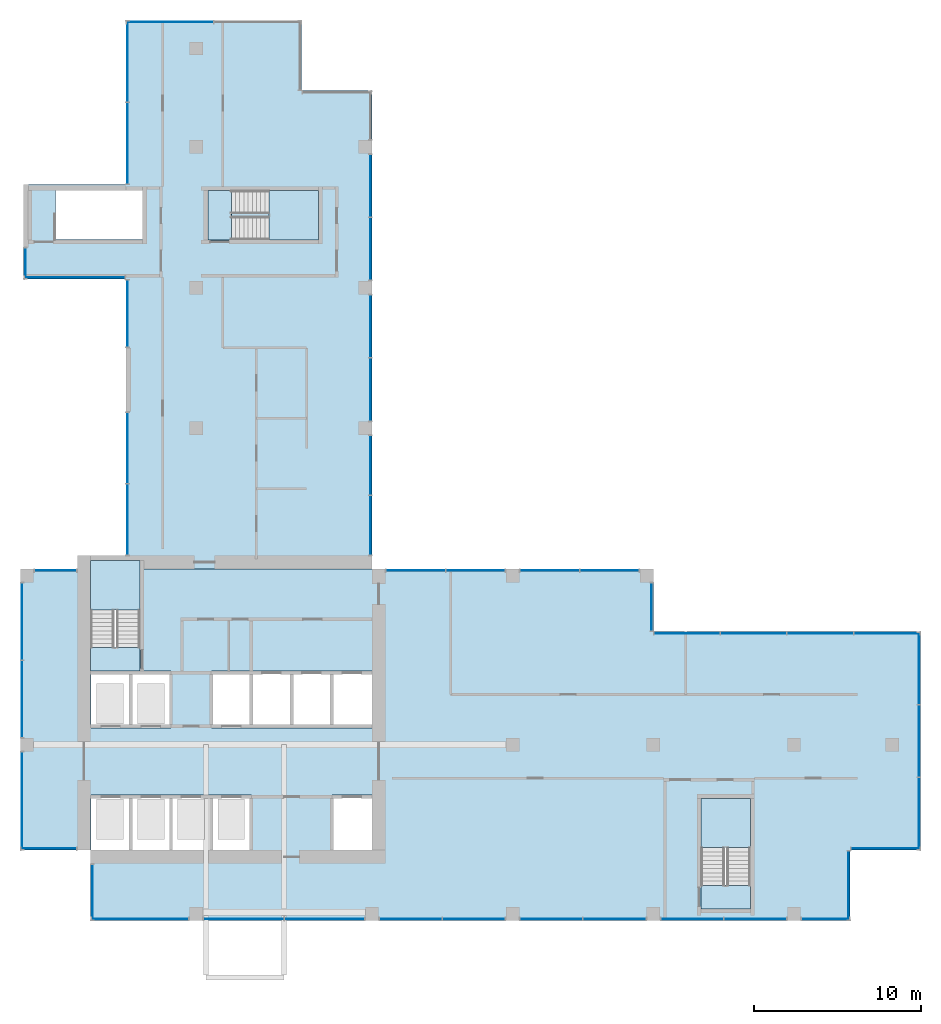
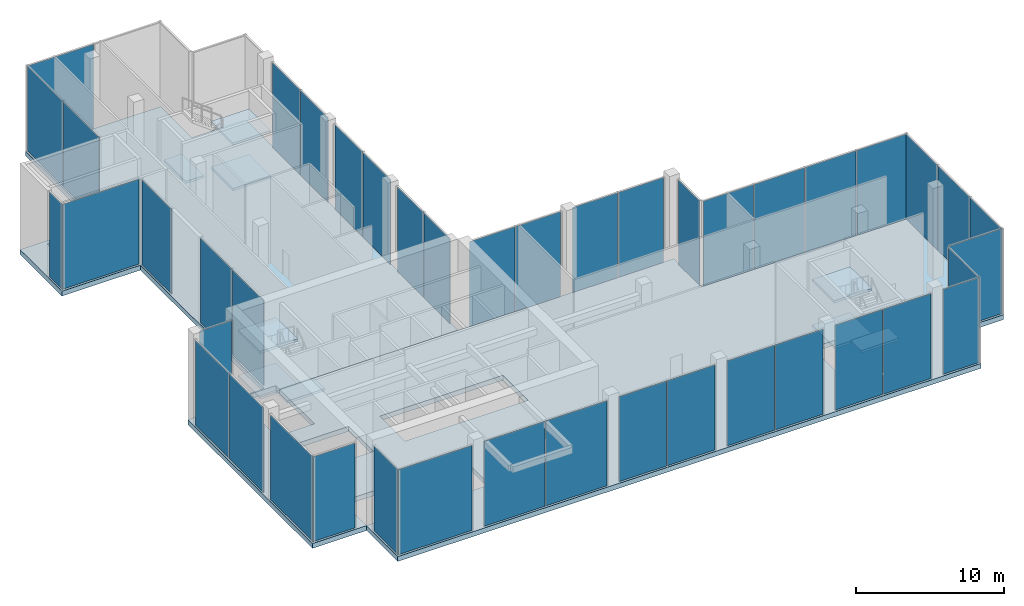
# One storey, part 6 of 13: 44 plates, 11 slabs, 30 elements without a shape of their own.
"""IFC4 building model written with IfcOpenShell, lengths in metres."""

from ifc_helpers import new_model, si_unit, direction, frame, origin, origin_2d, place, context, subcontext, project, spatial, polyline, rectangle, outline, extrude, source, transform, mapped, material, layer, layer_set, type_object, element, aggregate, save


model = new_model("IFC4")

# Units and contexts
model_context = context("Model", 3, precision=1e-05, world=origin(), true_north=direction((0.0, 1.0)))
body_context = subcontext(model_context, "Body", "Model", "MODEL_VIEW")
ifc_project = project(units=[si_unit("LENGTHUNIT", "METRE"), si_unit("AREAUNIT", "SQUARE_METRE"), si_unit("VOLUMEUNIT", "CUBIC_METRE"), si_unit("PLANEANGLEUNIT", "RADIAN"), si_unit("MASSUNIT", "GRAM", prefix="KILO")], contexts=[model_context])

# Site, building, storey
site_placement = place(None, origin())
site = spatial("IfcSite", under=ifc_project, at=site_placement, CompositionType="ELEMENT")
building_placement = place(site_placement, origin())
building = spatial("IfcBuilding", under=site, at=building_placement, Name="Aurelian Terraces", CompositionType="ELEMENT")
storey_placement = place(building_placement, frame((0.0, 0.0, 277.0)))
storey = spatial("IfcBuildingStorey", under=building, at=storey_placement, Name="L63", CompositionType="ELEMENT", Elevation=277.0)

# Curtain wall, plate
ifc_material_1 = material(Name="Anodised aluminium and clear glazing", Category="aluminium")
ifc_layer_1 = layer(ifc_material_1, 0.2)
ifc_layer_set_1 = layer_set([ifc_layer_1], Name="Lobby glazing curtain wall")
curtain_wall_type = type_object("IfcCurtainWallType", Name="Lobby glazing curtain wall", PredefinedType="NOTDEFINED", material=ifc_layer_set_1)
curtain_wall_1_placement = place(storey_placement, origin())
curtain_wall_1 = element("IfcCurtainWall", 1, at=curtain_wall_1_placement, inside=storey, type_object=curtain_wall_type, Name="Lobby glazing L63 F01.1", PredefinedType="NOTDEFINED")
ifc_material_2 = material(Name="Clear glazing", Category="glass")
ifc_layer_2 = layer(ifc_material_2, 0.028)
ifc_layer_set_2 = layer_set([ifc_layer_2], Name="Lobby glazing glazing panel")
plate_type = type_object("IfcPlateType", Name="Lobby glazing glazing panel", PredefinedType="CURTAIN_PANEL", material=ifc_layer_set_2)
plate_1_placement = place(storey_placement, frame((7.15, 0.1, 0.06), z_axis=(0.0, 0.0, 1.0), x_axis=(1.0, 0.0, 0.0)))
plate_1 = element("IfcPlate", 2, at=plate_1_placement, type_object=plate_type, Name="CW2 panel 1.1", PredefinedType="CURTAIN_PANEL", context=body_context, shape_type="SweptSolid", body=[
    extrude(rectangle(XDim=5.78, YDim=0.028, at=origin_2d()), origin(), (0.0, 0.0, 1.0), 6.98),
])
aggregate(curtain_wall_1, [plate_1])

curtain_wall_2_placement = place(storey_placement, origin())
curtain_wall_2 = element("IfcCurtainWall", 3, at=curtain_wall_2_placement, inside=storey, type_object=curtain_wall_type, Name="Lobby glazing L63 F01.2", PredefinedType="NOTDEFINED")
plate_2_placement = place(storey_placement, frame((13.34, 0.1, 0.06), z_axis=(0.0, 0.0, 1.0), x_axis=(1.0, 0.0, 0.0)))
plate_2 = element("IfcPlate", 4, at=plate_2_placement, type_object=plate_type, Name="CW2 panel 1.1", PredefinedType="CURTAIN_PANEL", context=body_context, shape_type="SweptSolid", body=[
    extrude(rectangle(XDim=4.76, YDim=0.028, at=origin_2d()), origin(), (0.0, 0.0, 1.0), 6.98),
])

curtain_wall_3_placement = place(storey_placement, origin())
curtain_wall_3 = element("IfcCurtainWall", 5, at=curtain_wall_3_placement, inside=storey, type_object=curtain_wall_type, Name="Lobby glazing L63 F01.3", PredefinedType="NOTDEFINED")
plate_3_placement = place(storey_placement, frame((23.315, 0.1, 0.06), z_axis=(0.0, 0.0, 1.0), x_axis=(1.0, 0.0, 0.0)))
plate_3 = element("IfcPlate", 6, at=plate_3_placement, type_object=plate_type, Name="CW2 panel 1.1", PredefinedType="CURTAIN_PANEL", context=body_context, shape_type="SweptSolid", body=[
    extrude(rectangle(XDim=3.71, YDim=0.028, at=origin_2d()), origin(), (0.0, 0.0, 1.0), 6.98),
])

curtain_wall_4_placement = place(storey_placement, origin())
curtain_wall_4 = element("IfcCurtainWall", 7, at=curtain_wall_4_placement, inside=storey, type_object=curtain_wall_type, Name="Lobby glazing L63 F01.6", PredefinedType="NOTDEFINED")
plate_4_placement = place(storey_placement, frame((48.08, 0.1, 0.06), z_axis=(0.0, 0.0, 1.0), x_axis=(1.0, 0.0, 0.0)))
plate_4 = element("IfcPlate", 8, at=plate_4_placement, type_object=plate_type, Name="CW2 panel 1.1", PredefinedType="CURTAIN_PANEL", context=body_context, shape_type="SweptSolid", body=[
    extrude(rectangle(XDim=2.84, YDim=0.028, at=origin_2d()), origin(), (0.0, 0.0, 1.0), 6.98),
])
aggregate(curtain_wall_4, [plate_4])

# Curtain wall, plates
curtain_wall_5_placement = place(storey_placement, origin())
curtain_wall_5 = element("IfcCurtainWall", 9, at=curtain_wall_5_placement, inside=storey, type_object=curtain_wall_type, Name="Lobby glazing L63 F04.1", PredefinedType="NOTDEFINED")
plate_5_placement = place(storey_placement, frame((53.66, 6.39, 0.06), z_axis=(0.0, 0.0, 1.0), x_axis=(0.0, 1.0, 0.0)))
plate_5 = element("IfcPlate", 10, at=plate_5_placement, type_object=plate_type, Name="CW2 panel 1.1", PredefinedType="CURTAIN_PANEL", context=body_context, shape_type="SweptSolid", body=[
    extrude(rectangle(XDim=4.26, YDim=0.028, at=origin_2d()), origin(), (0.0, 0.0, 1.0), 6.98),
])
plate_6_placement = place(storey_placement, frame((53.66, 10.725, 0.06), z_axis=(0.0, 0.0, 1.0), x_axis=(0.0, 1.0, 0.0)))
plate_6 = element("IfcPlate", 11, at=plate_6_placement, type_object=plate_type, Name="CW2 panel 2.1", PredefinedType="CURTAIN_PANEL", context=body_context, shape_type="SweptSolid", body=[
    extrude(rectangle(XDim=4.29, YDim=0.028, at=origin_2d()), origin(), (0.0, 0.0, 1.0), 6.98),
])

curtain_wall_6_placement = place(storey_placement, origin())
curtain_wall_6 = element("IfcCurtainWall", 12, at=curtain_wall_6_placement, inside=storey, type_object=curtain_wall_type, Name="Lobby glazing L63 F05.1", PredefinedType="NOTDEFINED")
plate_7_placement = place(storey_placement, frame((51.75, 17.15, 0.06), z_axis=(0.0, 0.0, 1.0), x_axis=(-1.0, 0.0, 0.0)))
plate_7 = element("IfcPlate", 13, at=plate_7_placement, type_object=plate_type, Name="CW2 panel 1.1", PredefinedType="CURTAIN_PANEL", context=body_context, shape_type="SweptSolid", body=[
    extrude(rectangle(XDim=3.9, YDim=0.028, at=origin_2d()), origin(), (0.0, 0.0, 1.0), 6.98),
])
plate_8_placement = place(storey_placement, frame((47.775, 17.15, 0.06), z_axis=(0.0, 0.0, 1.0), x_axis=(-1.0, 0.0, 0.0)))
plate_8 = element("IfcPlate", 14, at=plate_8_placement, type_object=plate_type, Name="CW2 panel 2.1", PredefinedType="CURTAIN_PANEL", context=body_context, shape_type="SweptSolid", body=[
    extrude(rectangle(XDim=3.93, YDim=0.028, at=origin_2d()), origin(), (0.0, 0.0, 1.0), 6.98),
])

# Curtain wall, plate
curtain_wall_7_placement = place(storey_placement, origin())
curtain_wall_7 = element("IfcCurtainWall", 15, at=curtain_wall_7_placement, inside=storey, type_object=curtain_wall_type, Name="Lobby glazing L63 F06.1", PredefinedType="NOTDEFINED")
plate_9_placement = place(storey_placement, frame((37.7, 18.725, 0.06), z_axis=(0.0, 0.0, 1.0), x_axis=(0.0, 1.0, 0.0)))
plate_9 = element("IfcPlate", 16, at=plate_9_placement, type_object=plate_type, Name="CW2 panel 1.1", PredefinedType="CURTAIN_PANEL", context=body_context, shape_type="SweptSolid", body=[
    extrude(rectangle(XDim=2.83, YDim=0.028, at=origin_2d()), origin(), (0.0, 0.0, 1.0), 6.98),
])
aggregate(curtain_wall_7, [plate_9])

curtain_wall_8_placement = place(storey_placement, origin())
curtain_wall_8 = element("IfcCurtainWall", 17, at=curtain_wall_8_placement, inside=storey, type_object=curtain_wall_type, Name="Lobby glazing L63 F07.1", PredefinedType="NOTDEFINED")
plate_10_placement = place(storey_placement, frame((35.185, 20.9, 0.06), z_axis=(0.0, 0.0, 1.0), x_axis=(-1.0, 0.0, 0.0)))
plate_10 = element("IfcPlate", 18, at=plate_10_placement, type_object=plate_type, Name="CW2 panel 1.1", PredefinedType="CURTAIN_PANEL", context=body_context, shape_type="SweptSolid", body=[
    extrude(rectangle(XDim=3.51, YDim=0.028, at=origin_2d()), origin(), (0.0, 0.0, 1.0), 6.98),
])

curtain_wall_9_placement = place(storey_placement, origin())
curtain_wall_9 = element("IfcCurtainWall", 19, at=curtain_wall_9_placement, inside=storey, type_object=curtain_wall_type, Name="Lobby glazing L63 F16.3", PredefinedType="NOTDEFINED")
plate_11_placement = place(storey_placement, frame((6.4, 28.235, 0.06), z_axis=(0.0, 0.0, 1.0), x_axis=(0.0, -1.0, 0.0)))
plate_11 = element("IfcPlate", 20, at=plate_11_placement, type_object=plate_type, Name="CW2 panel 1.1", PredefinedType="CURTAIN_PANEL", context=body_context, shape_type="SweptSolid", body=[
    extrude(rectangle(XDim=4.21, YDim=0.028, at=origin_2d()), origin(), (0.0, 0.0, 1.0), 6.98),
])

curtain_wall_10_placement = place(storey_placement, origin())
curtain_wall_10 = element("IfcCurtainWall", 21, at=curtain_wall_10_placement, inside=storey, type_object=curtain_wall_type, Name="Lobby glazing L63 F19.1", PredefinedType="NOTDEFINED")
plate_12_placement = place(storey_placement, frame((2.1, 20.9, 0.06), z_axis=(0.0, 0.0, 1.0), x_axis=(-1.0, 0.0, 0.0)))
plate_12 = element("IfcPlate", 22, at=plate_12_placement, type_object=plate_type, Name="CW2 panel 1.1", PredefinedType="CURTAIN_PANEL", context=body_context, shape_type="SweptSolid", body=[
    extrude(rectangle(XDim=2.48, YDim=0.028, at=origin_2d()), origin(), (0.0, 0.0, 1.0), 6.98),
])
aggregate(curtain_wall_10, [plate_12])

curtain_wall_11_placement = place(storey_placement, origin())
curtain_wall_11 = element("IfcCurtainWall", 23, at=curtain_wall_11_placement, inside=storey, type_object=curtain_wall_type, Name="Lobby glazing L63 F20.1", PredefinedType="NOTDEFINED")
plate_13_placement = place(storey_placement, frame((0.1, 17.86, 0.06), z_axis=(0.0, 0.0, 1.0), x_axis=(0.0, -1.0, 0.0)))
plate_13 = element("IfcPlate", 24, at=plate_13_placement, type_object=plate_type, Name="CW2 panel 1.1", PredefinedType="CURTAIN_PANEL", context=body_context, shape_type="SweptSolid", body=[
    extrude(rectangle(XDim=4.56, YDim=0.028, at=origin_2d()), origin(), (0.0, 0.0, 1.0), 6.98),
])

curtain_wall_12_placement = place(storey_placement, origin())
curtain_wall_12 = element("IfcCurtainWall", 25, at=curtain_wall_12_placement, inside=storey, type_object=curtain_wall_type, Name="Lobby glazing L63 F21.1", PredefinedType="NOTDEFINED")
plate_14_placement = place(storey_placement, frame((1.7, 4.3, 0.06), z_axis=(0.0, 0.0, 1.0), x_axis=(1.0, 0.0, 0.0)))
plate_14 = element("IfcPlate", 26, at=plate_14_placement, type_object=plate_type, Name="CW2 panel 1.1", PredefinedType="CURTAIN_PANEL", context=body_context, shape_type="SweptSolid", body=[
    extrude(rectangle(XDim=3.28, YDim=0.028, at=origin_2d()), origin(), (0.0, 0.0, 1.0), 6.98),
])
aggregate(curtain_wall_12, [plate_14])

# Stair, slabs
ifc_material_3 = material(Name="Concrete fc' 40 MPa", Category="concrete")
stair_type = type_object("IfcStairType", Name="Stair 1400", PredefinedType="HALF_TURN_STAIR", material=ifc_material_3)
stair_1_placement = place(storey_placement, origin())
stair_1 = element("IfcStair", 27, at=stair_1_placement, inside=storey, type_object=stair_type, Name="L63 S3U", PredefinedType="HALF_TURN_STAIR")
ifc_layer_3 = layer(ifc_material_3, 0.2)
ifc_layer_set_3 = layer_set([ifc_layer_3], Name="Stair landing 200")
slab_type_1 = type_object("IfcSlabType", Name="Stair landing 200", PredefinedType="LANDING", material=ifc_layer_set_3)
slab_1_placement = place(storey_placement, frame((0.0, 0.0, 1.675)))
slab_1 = element("IfcSlab", 28, at=slab_1_placement, type_object=slab_type_1, Name="S3U landing 1", PredefinedType="LANDING", context=body_context, shape_type="SweptSolid", body=[
    extrude(outline(polyline([(14.85, 40.65), (17.8, 40.65), (17.8, 43.6), (14.85, 43.6), (14.85, 40.65)])), origin(), (0.0, 0.0, 1.0), 0.2),
])
slab_2_placement = place(storey_placement, frame((0.0, 0.0, 3.55)))
slab_2 = element("IfcSlab", 29, at=slab_2_placement, type_object=slab_type_1, Name="S3U landing 2", PredefinedType="LANDING", context=body_context, shape_type="SweptSolid", body=[
    extrude(outline(polyline([(11.2, 40.65), (12.6, 40.65), (12.6, 43.6), (11.2, 43.6), (11.2, 40.65)])), origin(), (0.0, 0.0, 1.0), 0.2),
])

# Slabs
ifc_layer_4 = layer(ifc_material_3, 0.4)
ifc_layer_set_4 = layer_set([ifc_layer_4], Name="PT FLAT PLATE 400")
slab_type_2 = type_object("IfcSlabType", Name="PT FLAT PLATE 400", PredefinedType="FLOOR", material=ifc_layer_set_4)
shared_shape_1 = source(origin(), body_context, "Body", "SweptSolid", [
    extrude(outline(polyline([(0.2, 43.95), (6.3, 43.95), (6.3, 49.56), (6.3, 53.76), (10.5, 53.76), (16.8, 53.76), (16.8, 49.56), (21.0, 49.56), (21.0, 21.0), (7.14, 21.0), (7.14, 21.49), (4.21, 21.49), (4.21, 21.0), (4.2, 21.0), (4.2, 21.6), (6.3, 21.6), (6.3, 38.3), (0.2, 38.3), (0.2, 43.95)]), holes=[polyline([(7.29, 43.59), (2.11, 43.59), (2.11, 40.66), (7.29, 40.66), (7.29, 43.59)])]), origin(), (0.0, 0.0, 1.0), 0.4),
])
slab_3_placement = place(storey_placement, frame((0.0, 0.0, -0.4)))
element("IfcSlab", 30, at=slab_3_placement, inside=storey, type_object=slab_type_2, Name="Floor slab W L63", PredefinedType="FLOOR", context=body_context, shape_type="MappedRepresentation", body=[
    mapped(shared_shape_1, transform((0.0, 0.0, 0.0), scale=1.0)),
])
shared_shape_2 = source(origin(), body_context, "Body", "SweptSolid", [
    extrude(outline(polyline([(53.76, 4.2), (49.56, 4.2), (49.56, 0.0), (21.0, 0.0), (4.2, 0.0), (4.2, 4.2), (0.0, 4.2), (0.0, 21.0), (4.21, 21.0), (4.21, 16.31), (7.14, 16.31), (7.14, 21.0), (21.0, 21.0), (37.8, 21.0), (37.8, 17.25), (49.56, 17.25), (53.76, 17.25), (53.76, 16.8), (53.76, 16.65), (53.76, 4.2)]), holes=[polyline([(40.66, 2.11), (43.59, 2.11), (43.59, 7.29), (40.66, 7.29), (40.66, 2.11)]), polyline([(18.61, 7.49), (18.61, 4.21), (20.99, 4.21), (20.99, 7.49), (18.61, 7.49)]), polyline([(20.99, 14.89), (11.41, 14.89), (11.41, 11.51), (20.99, 11.51), (20.99, 14.89)]), polyline([(4.21, 7.49), (4.21, 4.21), (13.79, 4.21), (13.79, 7.49), (4.21, 7.49)]), polyline([(4.21, 14.89), (4.21, 11.51), (8.99, 11.51), (8.99, 14.89), (4.21, 14.89)])]), origin(), (0.0, 0.0, 1.0), 0.4),
])
slab_4_placement = place(storey_placement, frame((0.0, 0.0, -0.4)))
element("IfcSlab", 31, at=slab_4_placement, inside=storey, type_object=slab_type_2, Name="Floor slab S L63", PredefinedType="FLOOR", context=body_context, shape_type="MappedRepresentation", body=[
    mapped(shared_shape_2, transform((0.0, 0.0, 0.0), scale=1.0)),
])

# Curtain wall, plate
curtain_wall_13_placement = place(storey_placement, origin())
curtain_wall_13 = element("IfcCurtainWall", 32, at=curtain_wall_13_placement, inside=storey, type_object=curtain_wall_type, Name="Lobby glazing L63 F02.1", PredefinedType="NOTDEFINED")
shared_shape_3 = source(origin(), body_context, "Body", "SweptSolid", [
    extrude(rectangle(XDim=4.08, YDim=0.028, at=origin_2d()), origin(), (0.0, 0.0, 1.0), 6.98),
])
plate_15_placement = place(storey_placement, frame((49.46, 2.1, 0.06), z_axis=(0.0, 0.0, 1.0), x_axis=(0.0, 1.0, 0.0)))
plate_15 = element("IfcPlate", 33, at=plate_15_placement, type_object=plate_type, Name="CW2 panel 1.1", PredefinedType="CURTAIN_PANEL", context=body_context, shape_type="MappedRepresentation", body=[
    mapped(shared_shape_3, transform((0.0, 0.0, 0.0), scale=1.0)),
])
aggregate(curtain_wall_13, [plate_15])

curtain_wall_14_placement = place(storey_placement, origin())
curtain_wall_14 = element("IfcCurtainWall", 34, at=curtain_wall_14_placement, inside=storey, type_object=curtain_wall_type, Name="Lobby glazing L63 F03.1", PredefinedType="NOTDEFINED")
plate_16_placement = place(storey_placement, frame((51.66, 4.3, 0.06), z_axis=(0.0, 0.0, 1.0), x_axis=(1.0, 0.0, 0.0)))
plate_16 = element("IfcPlate", 35, at=plate_16_placement, type_object=plate_type, Name="CW2 panel 1.1", PredefinedType="CURTAIN_PANEL", context=body_context, shape_type="MappedRepresentation", body=[
    mapped(shared_shape_3, transform((0.0, 0.0, 0.0), scale=1.0)),
])
aggregate(curtain_wall_14, [plate_16])

curtain_wall_15_placement = place(storey_placement, origin())
curtain_wall_15 = element("IfcCurtainWall", 36, at=curtain_wall_15_placement, inside=storey, type_object=curtain_wall_type, Name="Lobby glazing L63 F11.1", PredefinedType="NOTDEFINED")
shared_shape_4 = source(origin(), body_context, "Body", "SweptSolid", [
    extrude(rectangle(XDim=5.16, YDim=0.028, at=origin_2d()), origin(), (0.0, 0.0, 1.0), 6.98),
])
plate_17_placement = place(storey_placement, frame((8.94, 53.66, 0.06), z_axis=(0.0, 0.0, 1.0), x_axis=(-1.0, 0.0, 0.0)))
plate_17 = element("IfcPlate", 37, at=plate_17_placement, type_object=plate_type, Name="CW2 panel 2.1", PredefinedType="CURTAIN_PANEL", context=body_context, shape_type="MappedRepresentation", body=[
    mapped(shared_shape_4, transform((0.0, 0.0, 0.0), scale=1.0)),
])
aggregate(curtain_wall_15, [plate_17])

# Curtain wall, plates
curtain_wall_16_placement = place(storey_placement, origin())
curtain_wall_16 = element("IfcCurtainWall", 38, at=curtain_wall_16_placement, inside=storey, type_object=curtain_wall_type, Name="Lobby glazing L63 F12.1", PredefinedType="NOTDEFINED")
shared_shape_5 = source(origin(), body_context, "Body", "SweptSolid", [
    extrude(rectangle(XDim=4.815, YDim=0.028, at=origin_2d()), origin(), (0.0, 0.0, 1.0), 6.98),
])
plate_18_placement = place(storey_placement, frame((6.4, 51.2925, 0.06), z_axis=(0.0, 0.0, 1.0), x_axis=(0.0, -1.0, 0.0)))
plate_18 = element("IfcPlate", 39, at=plate_18_placement, type_object=plate_type, Name="CW2 panel 1.1", PredefinedType="CURTAIN_PANEL", context=body_context, shape_type="MappedRepresentation", body=[
    mapped(shared_shape_5, transform((0.0, 0.0, 0.0), scale=1.0)),
])
plate_19_placement = place(storey_placement, frame((6.4, 46.4175, 0.06), z_axis=(0.0, 0.0, 1.0), x_axis=(0.0, -1.0, 0.0)))
plate_19 = element("IfcPlate", 40, at=plate_19_placement, type_object=plate_type, Name="CW2 panel 2.1", PredefinedType="CURTAIN_PANEL", context=body_context, shape_type="MappedRepresentation", body=[
    mapped(shared_shape_5, transform((0.0, 0.0, 0.0), scale=1.0)),
])
aggregate(curtain_wall_16, [plate_18, plate_19])

# Plate
shared_shape_6 = source(origin(), body_context, "Body", "SweptSolid", [
    extrude(rectangle(XDim=4.76, YDim=0.028, at=origin_2d()), origin(), (0.0, 0.0, 1.0), 6.98),
])
plate_20_placement = place(storey_placement, frame((18.16, 0.1, 0.06), z_axis=(0.0, 0.0, 1.0), x_axis=(1.0, 0.0, 0.0)))
plate_20 = element("IfcPlate", 41, at=plate_20_placement, type_object=plate_type, Name="CW2 panel 2.1", PredefinedType="CURTAIN_PANEL", context=body_context, shape_type="MappedRepresentation", body=[
    mapped(shared_shape_6, transform((0.0, 0.0, 0.0), scale=1.0)),
])

aggregate(curtain_wall_2, [plate_2, plate_20])

shared_shape_7 = source(origin(), body_context, "Body", "SweptSolid", [
    extrude(rectangle(XDim=3.71, YDim=0.028, at=origin_2d()), origin(), (0.0, 0.0, 1.0), 6.98),
])
plate_21_placement = place(storey_placement, frame((27.085, 0.1, 0.06), z_axis=(0.0, 0.0, 1.0), x_axis=(1.0, 0.0, 0.0)))
plate_21 = element("IfcPlate", 42, at=plate_21_placement, type_object=plate_type, Name="CW2 panel 2.1", PredefinedType="CURTAIN_PANEL", context=body_context, shape_type="MappedRepresentation", body=[
    mapped(shared_shape_7, transform((0.0, 0.0, 0.0), scale=1.0)),
])

aggregate(curtain_wall_3, [plate_3, plate_21])

# Curtain wall, plates
curtain_wall_17_placement = place(storey_placement, origin())
curtain_wall_17 = element("IfcCurtainWall", 43, at=curtain_wall_17_placement, inside=storey, type_object=curtain_wall_type, Name="Lobby glazing L63 F01.4", PredefinedType="NOTDEFINED")
plate_22_placement = place(storey_placement, frame((31.715, 0.1, 0.06), z_axis=(0.0, 0.0, 1.0), x_axis=(1.0, 0.0, 0.0)))
plate_22 = element("IfcPlate", 44, at=plate_22_placement, type_object=plate_type, Name="CW2 panel 1.1", PredefinedType="CURTAIN_PANEL", context=body_context, shape_type="MappedRepresentation", body=[
    mapped(shared_shape_7, transform((0.0, 0.0, 0.0), scale=1.0)),
])
plate_23_placement = place(storey_placement, frame((35.485, 0.1, 0.06), z_axis=(0.0, 0.0, 1.0), x_axis=(1.0, 0.0, 0.0)))
plate_23 = element("IfcPlate", 45, at=plate_23_placement, type_object=plate_type, Name="CW2 panel 2.1", PredefinedType="CURTAIN_PANEL", context=body_context, shape_type="MappedRepresentation", body=[
    mapped(shared_shape_7, transform((0.0, 0.0, 0.0), scale=1.0)),
])
aggregate(curtain_wall_17, [plate_22, plate_23])

curtain_wall_18_placement = place(storey_placement, origin())
curtain_wall_18 = element("IfcCurtainWall", 46, at=curtain_wall_18_placement, inside=storey, type_object=curtain_wall_type, Name="Lobby glazing L63 F01.5", PredefinedType="NOTDEFINED")
plate_24_placement = place(storey_placement, frame((40.115, 0.1, 0.06), z_axis=(0.0, 0.0, 1.0), x_axis=(1.0, 0.0, 0.0)))
plate_24 = element("IfcPlate", 47, at=plate_24_placement, type_object=plate_type, Name="CW2 panel 1.1", PredefinedType="CURTAIN_PANEL", context=body_context, shape_type="MappedRepresentation", body=[
    mapped(shared_shape_7, transform((0.0, 0.0, 0.0), scale=1.0)),
])
plate_25_placement = place(storey_placement, frame((43.885, 0.1, 0.06), z_axis=(0.0, 0.0, 1.0), x_axis=(1.0, 0.0, 0.0)))
plate_25 = element("IfcPlate", 48, at=plate_25_placement, type_object=plate_type, Name="CW2 panel 2.1", PredefinedType="CURTAIN_PANEL", context=body_context, shape_type="MappedRepresentation", body=[
    mapped(shared_shape_7, transform((0.0, 0.0, 0.0), scale=1.0)),
])
aggregate(curtain_wall_18, [plate_24, plate_25])

curtain_wall_19_placement = place(storey_placement, origin())
curtain_wall_19 = element("IfcCurtainWall", 49, at=curtain_wall_19_placement, inside=storey, type_object=curtain_wall_type, Name="Lobby glazing L63 F08.2", PredefinedType="NOTDEFINED")
plate_26_placement = place(storey_placement, frame((20.9, 31.715, 0.06), z_axis=(0.0, 0.0, 1.0), x_axis=(0.0, 1.0, 0.0)))
plate_26 = element("IfcPlate", 50, at=plate_26_placement, type_object=plate_type, Name="CW2 panel 1.1", PredefinedType="CURTAIN_PANEL", context=body_context, shape_type="MappedRepresentation", body=[
    mapped(shared_shape_7, transform((0.0, 0.0, 0.0), scale=1.0)),
])
plate_27_placement = place(storey_placement, frame((20.9, 35.485, 0.06), z_axis=(0.0, 0.0, 1.0), x_axis=(0.0, 1.0, 0.0)))
plate_27 = element("IfcPlate", 51, at=plate_27_placement, type_object=plate_type, Name="CW2 panel 2.1", PredefinedType="CURTAIN_PANEL", context=body_context, shape_type="MappedRepresentation", body=[
    mapped(shared_shape_7, transform((0.0, 0.0, 0.0), scale=1.0)),
])
aggregate(curtain_wall_19, [plate_26, plate_27])

curtain_wall_20_placement = place(storey_placement, origin())
curtain_wall_20 = element("IfcCurtainWall", 52, at=curtain_wall_20_placement, inside=storey, type_object=curtain_wall_type, Name="Lobby glazing L63 F08.3", PredefinedType="NOTDEFINED")
plate_28_placement = place(storey_placement, frame((20.9, 40.115, 0.06), z_axis=(0.0, 0.0, 1.0), x_axis=(0.0, 1.0, 0.0)))
plate_28 = element("IfcPlate", 53, at=plate_28_placement, type_object=plate_type, Name="CW2 panel 1.1", PredefinedType="CURTAIN_PANEL", context=body_context, shape_type="MappedRepresentation", body=[
    mapped(shared_shape_7, transform((0.0, 0.0, 0.0), scale=1.0)),
])
plate_29_placement = place(storey_placement, frame((20.9, 43.885, 0.06), z_axis=(0.0, 0.0, 1.0), x_axis=(0.0, 1.0, 0.0)))
plate_29 = element("IfcPlate", 54, at=plate_29_placement, type_object=plate_type, Name="CW2 panel 2.1", PredefinedType="CURTAIN_PANEL", context=body_context, shape_type="MappedRepresentation", body=[
    mapped(shared_shape_7, transform((0.0, 0.0, 0.0), scale=1.0)),
])
aggregate(curtain_wall_20, [plate_28, plate_29])

# Plate
shared_shape_8 = source(origin(), body_context, "Body", "SweptSolid", [
    extrude(rectangle(XDim=4.26, YDim=0.028, at=origin_2d()), origin(), (0.0, 0.0, 1.0), 6.98),
])
plate_30_placement = place(storey_placement, frame((53.66, 15.06, 0.06), z_axis=(0.0, 0.0, 1.0), x_axis=(0.0, 1.0, 0.0)))
plate_30 = element("IfcPlate", 55, at=plate_30_placement, type_object=plate_type, Name="CW2 panel 3.1", PredefinedType="CURTAIN_PANEL", context=body_context, shape_type="MappedRepresentation", body=[
    mapped(shared_shape_8, transform((0.0, 0.0, 0.0), scale=1.0)),
])

aggregate(curtain_wall_5, [plate_5, plate_6, plate_30])

shared_shape_9 = source(origin(), body_context, "Body", "SweptSolid", [
    extrude(rectangle(XDim=3.93, YDim=0.028, at=origin_2d()), origin(), (0.0, 0.0, 1.0), 6.98),
])
plate_31_placement = place(storey_placement, frame((43.785, 17.15, 0.06), z_axis=(0.0, 0.0, 1.0), x_axis=(-1.0, 0.0, 0.0)))
plate_31 = element("IfcPlate", 56, at=plate_31_placement, type_object=plate_type, Name="CW2 panel 3.1", PredefinedType="CURTAIN_PANEL", context=body_context, shape_type="MappedRepresentation", body=[
    mapped(shared_shape_9, transform((0.0, 0.0, 0.0), scale=1.0)),
])

shared_shape_10 = source(origin(), body_context, "Body", "SweptSolid", [
    extrude(rectangle(XDim=3.9, YDim=0.028, at=origin_2d()), origin(), (0.0, 0.0, 1.0), 6.98),
])
plate_32_placement = place(storey_placement, frame((39.81, 17.15, 0.06), z_axis=(0.0, 0.0, 1.0), x_axis=(-1.0, 0.0, 0.0)))
plate_32 = element("IfcPlate", 57, at=plate_32_placement, type_object=plate_type, Name="CW2 panel 4.1", PredefinedType="CURTAIN_PANEL", context=body_context, shape_type="MappedRepresentation", body=[
    mapped(shared_shape_10, transform((0.0, 0.0, 0.0), scale=1.0)),
])

aggregate(curtain_wall_6, [plate_7, plate_8, plate_31, plate_32])

shared_shape_11 = source(origin(), body_context, "Body", "SweptSolid", [
    extrude(rectangle(XDim=3.51, YDim=0.028, at=origin_2d()), origin(), (0.0, 0.0, 1.0), 6.98),
])
plate_33_placement = place(storey_placement, frame((31.615, 20.9, 0.06), z_axis=(0.0, 0.0, 1.0), x_axis=(-1.0, 0.0, 0.0)))
plate_33 = element("IfcPlate", 58, at=plate_33_placement, type_object=plate_type, Name="CW2 panel 2.1", PredefinedType="CURTAIN_PANEL", context=body_context, shape_type="MappedRepresentation", body=[
    mapped(shared_shape_11, transform((0.0, 0.0, 0.0), scale=1.0)),
])

aggregate(curtain_wall_8, [plate_10, plate_33])

# Curtain wall, plates
curtain_wall_21_placement = place(storey_placement, origin())
curtain_wall_21 = element("IfcCurtainWall", 59, at=curtain_wall_21_placement, inside=storey, type_object=curtain_wall_type, Name="Lobby glazing L63 F07.2", PredefinedType="NOTDEFINED")
plate_34_placement = place(storey_placement, frame((27.185, 20.9, 0.06), z_axis=(0.0, 0.0, 1.0), x_axis=(-1.0, 0.0, 0.0)))
plate_34 = element("IfcPlate", 60, at=plate_34_placement, type_object=plate_type, Name="CW2 panel 1.1", PredefinedType="CURTAIN_PANEL", context=body_context, shape_type="MappedRepresentation", body=[
    mapped(shared_shape_11, transform((0.0, 0.0, 0.0), scale=1.0)),
])
plate_35_placement = place(storey_placement, frame((23.615, 20.9, 0.06), z_axis=(0.0, 0.0, 1.0), x_axis=(-1.0, 0.0, 0.0)))
plate_35 = element("IfcPlate", 61, at=plate_35_placement, type_object=plate_type, Name="CW2 panel 2.1", PredefinedType="CURTAIN_PANEL", context=body_context, shape_type="MappedRepresentation", body=[
    mapped(shared_shape_11, transform((0.0, 0.0, 0.0), scale=1.0)),
])
aggregate(curtain_wall_21, [plate_34, plate_35])

curtain_wall_22_placement = place(storey_placement, origin())
curtain_wall_22 = element("IfcCurtainWall", 62, at=curtain_wall_22_placement, inside=storey, type_object=curtain_wall_type, Name="Lobby glazing L63 F08.1", PredefinedType="NOTDEFINED")
plate_36_placement = place(storey_placement, frame((20.9, 23.615, 0.06), z_axis=(0.0, 0.0, 1.0), x_axis=(0.0, 1.0, 0.0)))
plate_36 = element("IfcPlate", 63, at=plate_36_placement, type_object=plate_type, Name="CW2 panel 1.1", PredefinedType="CURTAIN_PANEL", context=body_context, shape_type="MappedRepresentation", body=[
    mapped(shared_shape_11, transform((0.0, 0.0, 0.0), scale=1.0)),
])
plate_37_placement = place(storey_placement, frame((20.9, 27.185, 0.06), z_axis=(0.0, 0.0, 1.0), x_axis=(0.0, 1.0, 0.0)))
plate_37 = element("IfcPlate", 64, at=plate_37_placement, type_object=plate_type, Name="CW2 panel 2.1", PredefinedType="CURTAIN_PANEL", context=body_context, shape_type="MappedRepresentation", body=[
    mapped(shared_shape_11, transform((0.0, 0.0, 0.0), scale=1.0)),
])
aggregate(curtain_wall_22, [plate_36, plate_37])

# Curtain wall, plate
curtain_wall_23_placement = place(storey_placement, origin())
curtain_wall_23 = element("IfcCurtainWall", 65, at=curtain_wall_23_placement, inside=storey, type_object=curtain_wall_type, Name="Lobby glazing L63 F14.2", PredefinedType="NOTDEFINED")
shared_shape_12 = source(origin(), body_context, "Body", "SweptSolid", [
    extrude(rectangle(XDim=1.78, YDim=0.028, at=origin_2d()), origin(), (0.0, 0.0, 1.0), 6.98),
])
plate_38_placement = place(storey_placement, frame((0.3, 39.25, 0.06), z_axis=(0.0, 0.0, 1.0), x_axis=(0.0, -1.0, 0.0)))
plate_38 = element("IfcPlate", 66, at=plate_38_placement, type_object=plate_type, Name="CW2 panel 1.1", PredefinedType="CURTAIN_PANEL", context=body_context, shape_type="MappedRepresentation", body=[
    mapped(shared_shape_12, transform((0.0, 0.0, 0.0), scale=1.0)),
])
aggregate(curtain_wall_23, [plate_38])

curtain_wall_24_placement = place(storey_placement, origin())
curtain_wall_24 = element("IfcCurtainWall", 67, at=curtain_wall_24_placement, inside=storey, type_object=curtain_wall_type, Name="Lobby glazing L63 F15.1", PredefinedType="NOTDEFINED")
shared_shape_13 = source(origin(), body_context, "Body", "SweptSolid", [
    extrude(rectangle(XDim=5.98, YDim=0.028, at=origin_2d()), origin(), (0.0, 0.0, 1.0), 6.98),
])
plate_39_placement = place(storey_placement, frame((3.25, 38.4, 0.06), z_axis=(0.0, 0.0, 1.0), x_axis=(1.0, 0.0, 0.0)))
plate_39 = element("IfcPlate", 68, at=plate_39_placement, type_object=plate_type, Name="CW2 panel 1.1", PredefinedType="CURTAIN_PANEL", context=body_context, shape_type="MappedRepresentation", body=[
    mapped(shared_shape_13, transform((0.0, 0.0, 0.0), scale=1.0)),
])
aggregate(curtain_wall_24, [plate_39])

curtain_wall_25_placement = place(storey_placement, origin())
curtain_wall_25 = element("IfcCurtainWall", 69, at=curtain_wall_25_placement, inside=storey, type_object=curtain_wall_type, Name="Lobby glazing L63 F16.1", PredefinedType="NOTDEFINED")
shared_shape_14 = source(origin(), body_context, "Body", "SweptSolid", [
    extrude(rectangle(XDim=3.98, YDim=0.028, at=origin_2d()), origin(), (0.0, 0.0, 1.0), 6.98),
])
plate_40_placement = place(storey_placement, frame((6.4, 36.25, 0.06), z_axis=(0.0, 0.0, 1.0), x_axis=(0.0, -1.0, 0.0)))
plate_40 = element("IfcPlate", 70, at=plate_40_placement, type_object=plate_type, Name="CW2 panel 1.1", PredefinedType="CURTAIN_PANEL", context=body_context, shape_type="MappedRepresentation", body=[
    mapped(shared_shape_14, transform((0.0, 0.0, 0.0), scale=1.0)),
])
aggregate(curtain_wall_25, [plate_40])

# Plate
shared_shape_15 = source(origin(), body_context, "Body", "SweptSolid", [
    extrude(rectangle(XDim=4.21, YDim=0.028, at=origin_2d()), origin(), (0.0, 0.0, 1.0), 6.98),
])
plate_41_placement = place(storey_placement, frame((6.4, 23.965, 0.06), z_axis=(0.0, 0.0, 1.0), x_axis=(0.0, -1.0, 0.0)))
plate_41 = element("IfcPlate", 71, at=plate_41_placement, type_object=plate_type, Name="CW2 panel 2.1", PredefinedType="CURTAIN_PANEL", context=body_context, shape_type="MappedRepresentation", body=[
    mapped(shared_shape_15, transform((0.0, 0.0, 0.0), scale=1.0)),
])

aggregate(curtain_wall_9, [plate_11, plate_41])

shared_shape_16 = source(origin(), body_context, "Body", "SweptSolid", [
    extrude(rectangle(XDim=4.56, YDim=0.028, at=origin_2d()), origin(), (0.0, 0.0, 1.0), 6.98),
])
plate_42_placement = place(storey_placement, frame((0.1, 13.24, 0.06), z_axis=(0.0, 0.0, 1.0), x_axis=(0.0, -1.0, 0.0)))
plate_42 = element("IfcPlate", 72, at=plate_42_placement, type_object=plate_type, Name="CW2 panel 2.1", PredefinedType="CURTAIN_PANEL", context=body_context, shape_type="MappedRepresentation", body=[
    mapped(shared_shape_16, transform((0.0, 0.0, 0.0), scale=1.0)),
])

aggregate(curtain_wall_11, [plate_13, plate_42])

# Curtain wall, plate
curtain_wall_26_placement = place(storey_placement, origin())
curtain_wall_26 = element("IfcCurtainWall", 73, at=curtain_wall_26_placement, inside=storey, type_object=curtain_wall_type, Name="Lobby glazing L63 F20.2", PredefinedType="NOTDEFINED")
shared_shape_17 = source(origin(), body_context, "Body", "SweptSolid", [
    extrude(rectangle(XDim=5.78, YDim=0.028, at=origin_2d()), origin(), (0.0, 0.0, 1.0), 6.98),
])
plate_43_placement = place(storey_placement, frame((0.1, 7.15, 0.06), z_axis=(0.0, 0.0, 1.0), x_axis=(0.0, -1.0, 0.0)))
plate_43 = element("IfcPlate", 74, at=plate_43_placement, type_object=plate_type, Name="CW2 panel 1.1", PredefinedType="CURTAIN_PANEL", context=body_context, shape_type="MappedRepresentation", body=[
    mapped(shared_shape_17, transform((0.0, 0.0, 0.0), scale=1.0)),
])
aggregate(curtain_wall_26, [plate_43])

curtain_wall_27_placement = place(storey_placement, origin())
curtain_wall_27 = element("IfcCurtainWall", 75, at=curtain_wall_27_placement, inside=storey, type_object=curtain_wall_type, Name="Lobby glazing L63 F22.1", PredefinedType="NOTDEFINED")
shared_shape_18 = source(origin(), body_context, "Body", "SweptSolid", [
    extrude(rectangle(XDim=3.28, YDim=0.028, at=origin_2d()), origin(), (0.0, 0.0, 1.0), 6.98),
])
plate_44_placement = place(storey_placement, frame((4.3, 1.7, 0.06), z_axis=(0.0, 0.0, 1.0), x_axis=(0.0, -1.0, 0.0)))
plate_44 = element("IfcPlate", 76, at=plate_44_placement, type_object=plate_type, Name="CW2 panel 1.1", PredefinedType="CURTAIN_PANEL", context=body_context, shape_type="MappedRepresentation", body=[
    mapped(shared_shape_18, transform((0.0, 0.0, 0.0), scale=1.0)),
])
aggregate(curtain_wall_27, [plate_44])

# Stair, slabs
stair_2_placement = place(storey_placement, origin())
stair_2 = element("IfcStair", 77, at=stair_2_placement, inside=storey, type_object=stair_type, Name="L63 S1", PredefinedType="HALF_TURN_STAIR")
shared_shape_19 = source(origin(), body_context, "Body", "SweptSolid", [
    extrude(outline(polyline([(7.15, 18.55), (7.15, 21.5), (4.2, 21.5), (4.2, 18.55), (7.15, 18.55)])), origin(), (0.0, 0.0, 1.0), 0.2),
])
slab_5_placement = place(storey_placement, frame((0.0, 0.0, 1.675)))
slab_5 = element("IfcSlab", 78, at=slab_5_placement, type_object=slab_type_1, Name="S1 landing 1", PredefinedType="LANDING", context=body_context, shape_type="MappedRepresentation", body=[
    mapped(shared_shape_19, transform((0.0, 0.0, 0.0), scale=1.0)),
])
slab_6_placement = place(storey_placement, frame((0.0, 0.0, 5.425)))
slab_6 = element("IfcSlab", 79, at=slab_6_placement, type_object=slab_type_1, Name="S1 landing 3", PredefinedType="LANDING", context=body_context, shape_type="MappedRepresentation", body=[
    mapped(shared_shape_19, transform((0.0, 0.0, 0.0), scale=1.0)),
])
shared_shape_20 = source(origin(), body_context, "Body", "SweptSolid", [
    extrude(outline(polyline([(7.15, 14.9), (7.15, 16.3), (4.2, 16.3), (4.2, 14.9), (7.15, 14.9)])), origin(), (0.0, 0.0, 1.0), 0.2),
])
slab_7_placement = place(storey_placement, frame((0.0, 0.0, 3.55)))
slab_7 = element("IfcSlab", 80, at=slab_7_placement, type_object=slab_type_1, Name="S1 landing 2", PredefinedType="LANDING", context=body_context, shape_type="MappedRepresentation", body=[
    mapped(shared_shape_20, transform((0.0, 0.0, 0.0), scale=1.0)),
])
aggregate(stair_2, [slab_5, slab_7, slab_6])

stair_3_placement = place(storey_placement, origin())
stair_3 = element("IfcStair", 81, at=stair_3_placement, inside=storey, type_object=stair_type, Name="L63 S2", PredefinedType="HALF_TURN_STAIR")
shared_shape_21 = source(origin(), body_context, "Body", "SweptSolid", [
    extrude(outline(polyline([(43.6, 4.35), (43.6, 7.3), (40.65, 7.3), (40.65, 4.35), (43.6, 4.35)])), origin(), (0.0, 0.0, 1.0), 0.2),
])
slab_8_placement = place(storey_placement, frame((0.0, 0.0, 1.675)))
slab_8 = element("IfcSlab", 82, at=slab_8_placement, type_object=slab_type_1, Name="S2 landing 1", PredefinedType="LANDING", context=body_context, shape_type="MappedRepresentation", body=[
    mapped(shared_shape_21, transform((0.0, 0.0, 0.0), scale=1.0)),
])
slab_9_placement = place(storey_placement, frame((0.0, 0.0, 5.425)))
slab_9 = element("IfcSlab", 83, at=slab_9_placement, type_object=slab_type_1, Name="S2 landing 3", PredefinedType="LANDING", context=body_context, shape_type="MappedRepresentation", body=[
    mapped(shared_shape_21, transform((0.0, 0.0, 0.0), scale=1.0)),
])
shared_shape_22 = source(origin(), body_context, "Body", "SweptSolid", [
    extrude(outline(polyline([(43.6, 0.7), (43.6, 2.1), (40.65, 2.1), (40.65, 0.7), (43.6, 0.7)])), origin(), (0.0, 0.0, 1.0), 0.2),
])
slab_10_placement = place(storey_placement, frame((0.0, 0.0, 3.55)))
slab_10 = element("IfcSlab", 84, at=slab_10_placement, type_object=slab_type_1, Name="S2 landing 2", PredefinedType="LANDING", context=body_context, shape_type="MappedRepresentation", body=[
    mapped(shared_shape_22, transform((0.0, 0.0, 0.0), scale=1.0)),
])
aggregate(stair_3, [slab_8, slab_10, slab_9])

# Slab
shared_shape_23 = source(origin(), body_context, "Body", "SweptSolid", [
    extrude(outline(polyline([(14.85, 40.65), (17.8, 40.65), (17.8, 43.6), (14.85, 43.6), (14.85, 40.65)])), origin(), (0.0, 0.0, 1.0), 0.2),
])
slab_11_placement = place(storey_placement, frame((0.0, 0.0, 5.425)))
slab_11 = element("IfcSlab", 85, at=slab_11_placement, type_object=slab_type_1, Name="S3U landing 3", PredefinedType="LANDING", context=body_context, shape_type="MappedRepresentation", body=[
    mapped(shared_shape_23, transform((0.0, 0.0, 0.0), scale=1.0)),
])

aggregate(stair_1, [slab_1, slab_2, slab_11])

save(model, "model.ifc")
